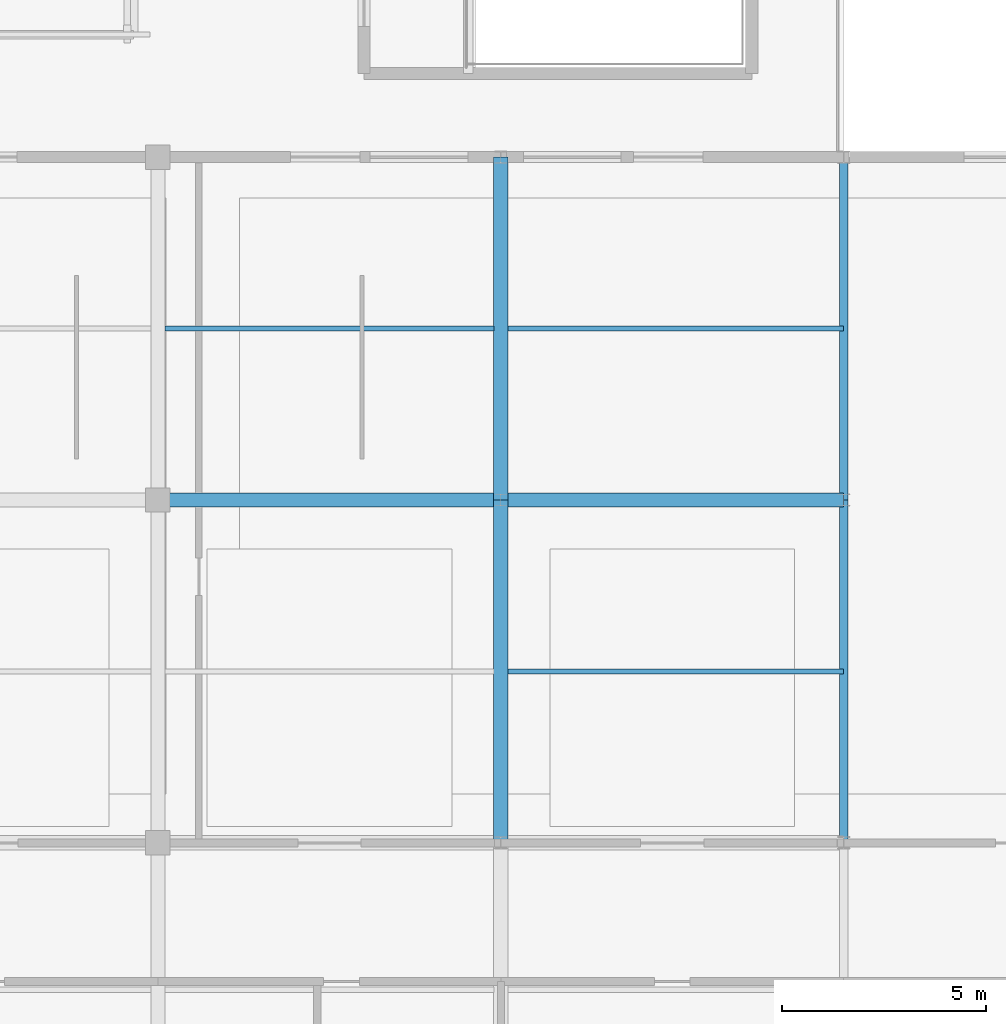
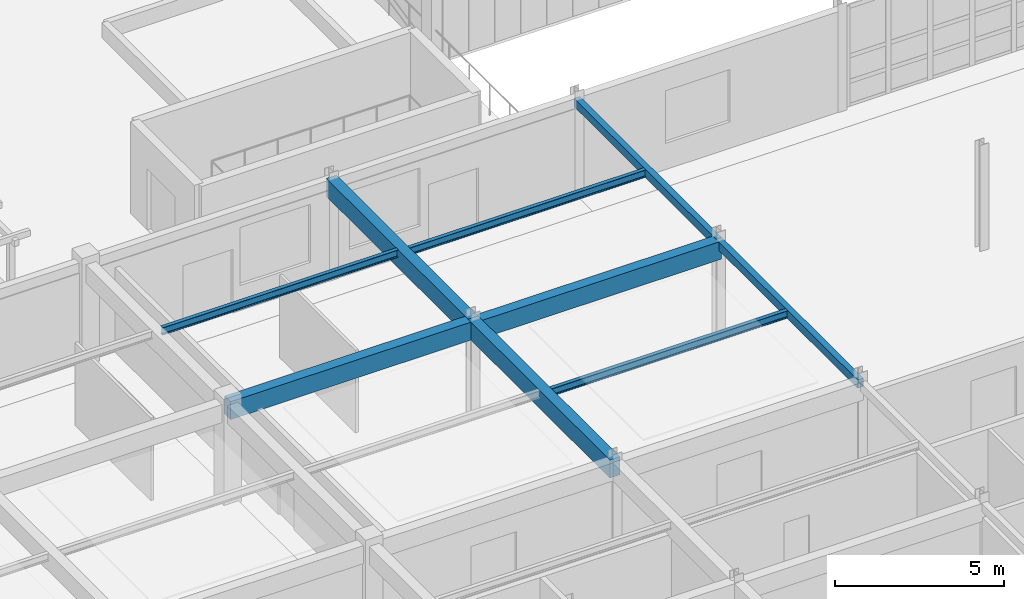
# One storey, part 14 of 67: 9 beams.
"""IFC4 building model written with IfcOpenShell, lengths in metres."""

import ifcopenshell
import ifcopenshell.guid

model = None  # the IFC model being written
_history = None  # IfcOwnerHistory: only IFC2X3 demands one
_inside = {}  # id of a spatial element -> (the spatial element, [elements in it])
_under = {}  # id of a project, library or spatial element -> (it, [spatial elements below it])
_declared = {}  # id of a project -> (the project, [libraries it declares])
_typed = {}  # id of a type object -> (the type object, [elements of that type])
_made_of = {}  # id of a material, layer set ... -> (it, [elements and type objects made of it])


def new_model(schema):
    """Start an empty IFC model of exactly this schema.

    Asked for "IFC4X3", IfcOpenShell would pick the latest addendum, in which some entities
    have other attributes; the version numbers below select the first issue.
    IFC2X3 requires an IfcOwnerHistory on every rooted entity: one is made here for all.
    """
    global model, _history
    if schema == "IFC4X3":
        model = ifcopenshell.file(schema_version=(4, 3, 0, 0))
    else:
        model = ifcopenshell.file(schema=schema)
    _inside.clear()
    _under.clear()
    _declared.clear()
    _typed.clear()
    _made_of.clear()
    _history = None
    if model.schema == "IFC2X3":
        org = make("IfcOrganization", Name="unknown")
        user = make(
            "IfcPersonAndOrganization",
            ThePerson=make("IfcPerson", FamilyName="unknown"),
            TheOrganization=org,
        )
        app = make(
            "IfcApplication",
            ApplicationDeveloper=org,
            Version="unknown",
            ApplicationFullName="unknown",
            ApplicationIdentifier="unknown",
        )
        _history = make(
            "IfcOwnerHistory",
            OwningUser=user,
            OwningApplication=app,
            ChangeAction="ADDED",
            CreationDate=0,
        )
    return model


def make(cls, **values):
    """One entity of the class cls with the attributes given. An attribute that is None is left unset."""
    return model.create_entity(
        cls, **{name: value for name, value in values.items() if value is not None}
    )


def rooted(cls, **values):
    """An entity with a GlobalId (a new one), such as an element, a storey or a relation."""
    return make(cls, GlobalId=ifcopenshell.guid.new(), OwnerHistory=_history, **values)


def si_unit(unit_type, name, prefix=None):
    """IfcSIUnit, for example si_unit("LENGTHUNIT", "METRE", prefix="MILLI")."""
    return make("IfcSIUnit", UnitType=unit_type, Prefix=prefix, Name=name)


def assignment(units):
    """IfcUnitAssignment: the units of a project."""
    return None if units is None else make("IfcUnitAssignment", Units=units)


def point(xyz):
    """IfcCartesianPoint."""
    return None if xyz is None else make("IfcCartesianPoint", Coordinates=xyz)


def direction(xyz):
    """IfcDirection."""
    return None if xyz is None else make("IfcDirection", DirectionRatios=xyz)


def frame(location, z_axis=None, x_axis=None):
    """IfcAxis2Placement3D, a coordinate frame: its origin and axes. An axis left out is left unset."""
    return make(
        "IfcAxis2Placement3D",
        Location=point(location),
        Axis=direction(z_axis),
        RefDirection=direction(x_axis),
    )


def frame_2d(location, x_axis=None):
    """IfcAxis2Placement2D, a coordinate frame in the plane: its origin and x axis."""
    return make(
        "IfcAxis2Placement2D", Location=point(location), RefDirection=direction(x_axis)
    )


def origin():
    """The frame at (0, 0, 0) with its axes left unset."""
    return frame((0.0, 0.0, 0.0))


def origin_2d():
    """The frame at (0, 0) in the plane with its x axis left unset."""
    return frame_2d((0.0, 0.0))


def place(relative_to, where):
    """IfcLocalPlacement: puts the frame where relative to a parent placement (None: the world)."""
    return make(
        "IfcLocalPlacement", PlacementRelTo=relative_to, RelativePlacement=where
    )


def context(
    kind, dimensions, precision=None, world=None, true_north=None, identifier=None
):
    """IfcGeometricRepresentationContext, for example the 3D "Model" context."""
    return make(
        "IfcGeometricRepresentationContext",
        ContextIdentifier=identifier,
        ContextType=kind,
        CoordinateSpaceDimension=dimensions,
        Precision=precision,
        WorldCoordinateSystem=world,
        TrueNorth=true_north,
    )


def subcontext(parent, identifier, kind, view, scale=None):
    """IfcGeometricRepresentationSubContext, for example "Body" below "Model"."""
    return make(
        "IfcGeometricRepresentationSubContext",
        ContextIdentifier=identifier,
        ContextType=kind,
        ParentContext=parent,
        TargetScale=scale,
        TargetView=view,
    )


def project(units=None, contexts=None):
    """IfcProject with its units and contexts."""
    return rooted(
        "IfcProject",
        Name="project",
        RepresentationContexts=contexts,
        UnitsInContext=assignment(units),
    )


def spatial(cls, under=None, at=None, **own):
    """A site, building, storey or space (cls), placed at a placement, below another one or the project."""
    s = rooted(cls, ObjectPlacement=at, **own)
    if under is not None:
        _under.setdefault(under.id(), (under, []))[1].append(s)
    return s


def profile(cls, at=None, kind="AREA", **sizes):
    """A parametric profile (cls). Its sizes go by their IFC names, for example OverallWidth=200.0."""
    return make(cls, ProfileType=kind, Position=at, **sizes)


def rectangle(**sizes):
    """IfcRectangleProfileDef."""
    return profile("IfcRectangleProfileDef", **sizes)


def hollow_rectangle(**sizes):
    """IfcRectangleHollowProfileDef."""
    return profile("IfcRectangleHollowProfileDef", **sizes)


def i_section(**sizes):
    """IfcIShapeProfileDef."""
    return profile("IfcIShapeProfileDef", **sizes)


def extrude(swept, where, along, depth):
    """IfcExtrudedAreaSolid: the profile swept, set in the frame where, extruded along a direction by depth."""
    return make(
        "IfcExtrudedAreaSolid",
        SweptArea=swept,
        Position=where,
        ExtrudedDirection=direction(along),
        Depth=depth,
    )


def shape(context_of_items, identifier, shape_type, items):
    """IfcShapeRepresentation: the items that make up one representation, for example the "Body"."""
    return make(
        "IfcShapeRepresentation",
        ContextOfItems=context_of_items,
        RepresentationIdentifier=identifier,
        RepresentationType=shape_type,
        Items=items,
    )


def material(Name=None, Category=None):
    """IfcMaterial."""
    return make("IfcMaterial", Name=Name, Category=Category)


def material_profile(
    of_material, cross_section, Name=None, Category=None, Priority=None
):
    """IfcMaterialProfile: a cross section and its material."""
    return make(
        "IfcMaterialProfile",
        Name=Name,
        Material=of_material,
        Profile=cross_section,
        Priority=Priority,
        Category=Category,
    )


def profile_set(profiles, Name=None, composite=None):
    """IfcMaterialProfileSet."""
    return make(
        "IfcMaterialProfileSet",
        Name=Name,
        MaterialProfiles=profiles,
        CompositeProfile=composite,
    )


def made_of(thing, what):
    """Note that an element or type object is made of a material, layer set ...; save() writes the relation."""
    if what is not None:
        _made_of.setdefault(what.id(), (what, []))[1].append(thing)
    return thing


def type_object(cls, material=None, **own):
    """A type object (cls), such as IfcWallType, which elements share."""
    return made_of(rooted(cls, **own), material)


def element(
    cls,
    number,
    at=None,
    inside=None,
    cuts=None,
    type_object=None,
    material=None,
    context=None,
    identifier="Body",
    shape_type=None,
    held_by="IfcProductDefinitionShape",
    body=None,
    shapes=None,
    **own,
):
    """One element of the class cls, such as IfcWall. Its Tag is "e" and its number.

    at: its placement. inside: the storey or other place that contains it. cuts: it is an
    opening in that element (IfcRelVoidsElement). A single representation is given by context,
    identifier, shape_type and body (its items); several are given by shapes. held_by: the class
    of the entity that holds the representations. save() writes the other relations.
    """
    e = rooted(cls, Tag="e%d" % number, ObjectPlacement=at, **own)
    if body is not None:
        shapes = [shape(context, identifier, shape_type, body)]
    if shapes is not None:
        e.Representation = make(held_by, Representations=shapes)
    if inside is not None:
        _inside.setdefault(inside.id(), (inside, []))[1].append(e)
    if cuts is not None:
        rooted(
            "IfcRelVoidsElement", RelatingBuildingElement=cuts, RelatedOpeningElement=e
        )
    if type_object is not None:
        _typed.setdefault(type_object.id(), (type_object, []))[1].append(e)
    return made_of(e, material)


def aggregate(whole, parts):
    """IfcRelAggregates: a whole, such as a stair, and the parts it consists of."""
    return rooted("IfcRelAggregates", RelatingObject=whole, RelatedObjects=parts)


def save(model, path):
    """Write the relations noted so far, then the file.

    IfcRelAggregates (storeys below a building ...), IfcRelContainedInSpatialStructure (elements
    in a storey), IfcRelDefinesByType, IfcRelAssociatesMaterial and IfcRelDeclares: one each for
    every whole, place, type object, material and project.
    """
    for whole, parts in _under.values():
        aggregate(whole, parts)
    for where, things in _inside.values():
        rooted(
            "IfcRelContainedInSpatialStructure",
            RelatedElements=things,
            RelatingStructure=where,
        )
    for kind, things in _typed.values():
        rooted("IfcRelDefinesByType", RelatedObjects=things, RelatingType=kind)
    for what, things in _made_of.values():
        rooted("IfcRelAssociatesMaterial", RelatedObjects=things, RelatingMaterial=what)
    for by, libraries in _declared.values():
        rooted("IfcRelDeclares", RelatingContext=by, RelatedDefinitions=libraries)
    model.write(path)


model = new_model("IFC4")

# Units and contexts
model_context = context("Model", 3, precision=1e-05, world=origin(), true_north=direction((0.0, 1.0)))
body_context = subcontext(model_context, "Body", "Model", "MODEL_VIEW")
ifc_project = project(units=[si_unit("LENGTHUNIT", "METRE"), si_unit("AREAUNIT", "SQUARE_METRE"), si_unit("VOLUMEUNIT", "CUBIC_METRE"), si_unit("PLANEANGLEUNIT", "RADIAN"), si_unit("MASSUNIT", "GRAM", prefix="KILO")], contexts=[model_context])

# Site, building, storey
site_placement = place(None, origin())
site = spatial("IfcSite", under=ifc_project, at=site_placement, CompositionType="ELEMENT")
building_placement = place(site_placement, origin())
building = spatial("IfcBuilding", under=site, at=building_placement, Name="Tizgana Railside Sports Hall", CompositionType="ELEMENT")
storey_placement = place(building_placement, frame((0.0, 0.0, 12.0)))
storey = spatial("IfcBuildingStorey", under=building, at=storey_placement, Name="L02", CompositionType="ELEMENT", Elevation=12.0)

# Beams
ifc_material_1 = material(Name="Concrete C35/45", Category="concrete")
ifc_material_profile_1 = material_profile(ifc_material_1, rectangle(XDim=0.35009765625, YDim=0.64990234375, at=origin_2d()), Name="RCB 350x650")
ifc_profile_set_1 = profile_set([ifc_material_profile_1], Name="Concrete C35/45")
beam_type_1 = type_object("IfcBeamType", Name="Concrete Beam RCB 350x650", PredefinedType="BEAM", material=ifc_profile_set_1)
for number, where, z_axis, x_axis, name in (
    (1, (71.39990234375, 15.60009765625, 3.31103515625), (0.0, 1.0, 0.0), (-1.0, 0.0, 0.0), "L02 BEM-0628"),
    (2, (71.39990234375, 24.0, 3.31103515625), (0.0, 1.0, 0.0), (-1.0, 0.0, 0.0), "L02 BEM-0629"),
    (3, (63.0, 24.0, 3.31103515625), (1.0, 0.0, 0.0), (0.0, 1.0, 0.0), "L02 BEM-0689"),
):
    element("IfcBeam", number, at=place(storey_placement, frame(where, z_axis=z_axis, x_axis=x_axis)), inside=storey, type_object=beam_type_1, Name=name, PredefinedType="BEAM", context=body_context, shape_type="SweptSolid", body=[
        extrude(rectangle(XDim=0.35009765625, YDim=0.64990234375, at=origin_2d()), origin(), (0.0, 0.0, 1.0), 8.39990234375),
    ])
beam_1_placement = place(storey_placement, frame((71.39990234375, 24.0, 3.240966796875), z_axis=(1.0, 0.0, 0.0), x_axis=(0.0, 1.0, 0.0)))
element("IfcBeam", 4, at=beam_1_placement, inside=storey, type_object=beam_type_1, Name="L02 BEM-0697", PredefinedType="BEAM", context=body_context, shape_type="SweptSolid", body=[
    extrude(rectangle(XDim=0.35009765625, YDim=0.64990234375, at=origin_2d()), origin(), (0.0, 0.0, 1.0), 8.400146484375),
])
ifc_material_2 = material(Name="Steel S355J2", Category="steel")
ifc_material_profile_2 = material_profile(ifc_material_2, i_section(OverallWidth=0.1298828125, OverallDepth=0.27001953125, WebThickness=0.006591796875, FlangeThickness=0.01025390625, FilletRadius=0.014892578125, at=origin_2d()), Name="IPE 270")
ifc_profile_set_2 = profile_set([ifc_material_profile_2], Name="Steel S355J2")
beam_type_2 = type_object("IfcBeamType", Name="Steel Joist IPE 270", PredefinedType="JOIST", material=ifc_profile_set_2)
beam_2_placement = place(storey_placement, frame((63.169921875, 28.199951171875, 3.5009765625), z_axis=(1.0, 0.0, 0.0), x_axis=(0.0, 1.0, 0.0)))
element("IfcBeam", 5, at=beam_2_placement, inside=storey, type_object=beam_type_2, Name="L02 BEM-0693", PredefinedType="JOIST", context=body_context, shape_type="SweptSolid", body=[
    extrude(i_section(OverallWidth=0.1298828125, OverallDepth=0.27001953125, WebThickness=0.006591796875, FlangeThickness=0.01025390625, FilletRadius=0.014892578125, at=origin_2d()), origin(), (0.0, 0.0, 1.0), 8.06005859375),
])
for number, where, z_axis, x_axis, name in (
    (6, (71.570068359375, 19.800048828125, 3.430908203125), (1.0, 0.0, 0.0), (0.0, 1.0, 0.0), "L02 BEM-0701"),
    (7, (71.570068359375, 28.199951171875, 3.430908203125), (1.0, 0.0, 0.0), (0.0, 1.0, 0.0), "L02 BEM-0702"),
):
    element("IfcBeam", number, at=place(storey_placement, frame(where, z_axis=z_axis, x_axis=x_axis)), inside=storey, type_object=beam_type_2, Name=name, PredefinedType="JOIST", context=body_context, shape_type="SweptSolid", body=[
        extrude(i_section(OverallWidth=0.1298828125, OverallDepth=0.27001953125, WebThickness=0.006591796875, FlangeThickness=0.01025390625, FilletRadius=0.014892578125, at=origin_2d()), origin(), (0.0, 0.0, 1.0), 8.22998046875),
    ])
ifc_material_profile_3 = material_profile(ifc_material_2, hollow_rectangle(XDim=0.199951171875, YDim=0.300048828125, WallThickness=0.010009765625, at=origin_2d()), Name="RHS 300x200x10")
ifc_profile_set_3 = profile_set([ifc_material_profile_3], Name="Steel S355J2")
beam_type_3 = type_object("IfcBeamType", Name="Steel Spandrel RHS 300x200x10", PredefinedType="SPANDREL", material=ifc_profile_set_3)
for number, where, z_axis, x_axis, name in (
    (8, (79.800048828125, 15.60009765625, 3.416015625), (0.0, 1.0, 0.0), (-1.0, 0.0, 0.0), "L02 BEM-0632"),
    (9, (79.800048828125, 24.0, 3.416015625), (0.0, 1.0, 0.0), (-1.0, 0.0, 0.0), "L02 BEM-0633"),
):
    element("IfcBeam", number, at=place(storey_placement, frame(where, z_axis=z_axis, x_axis=x_axis)), inside=storey, type_object=beam_type_3, Name=name, PredefinedType="SPANDREL", context=body_context, shape_type="SweptSolid", body=[
        extrude(hollow_rectangle(XDim=0.199951171875, YDim=0.300048828125, WallThickness=0.010009765625, at=origin_2d()), origin(), (0.0, 0.0, 1.0), 8.39990234375),
    ])

save(model, "model.ifc")
